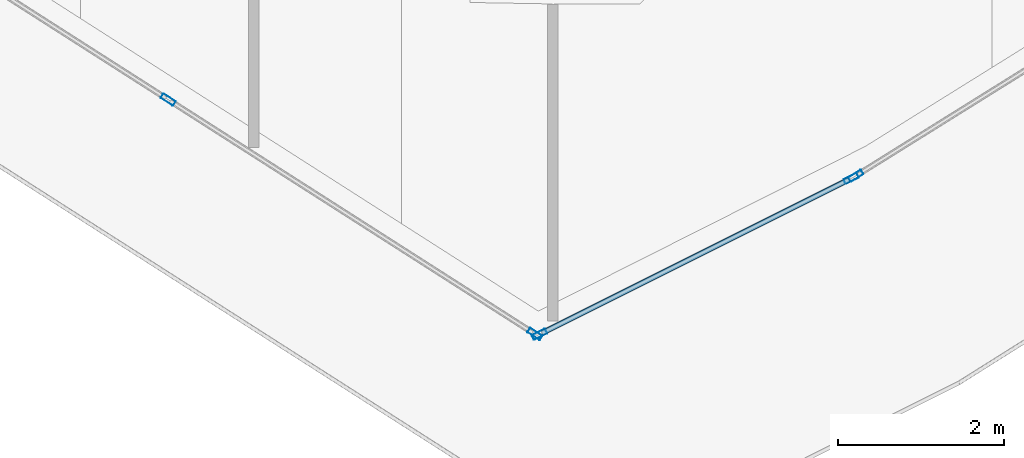
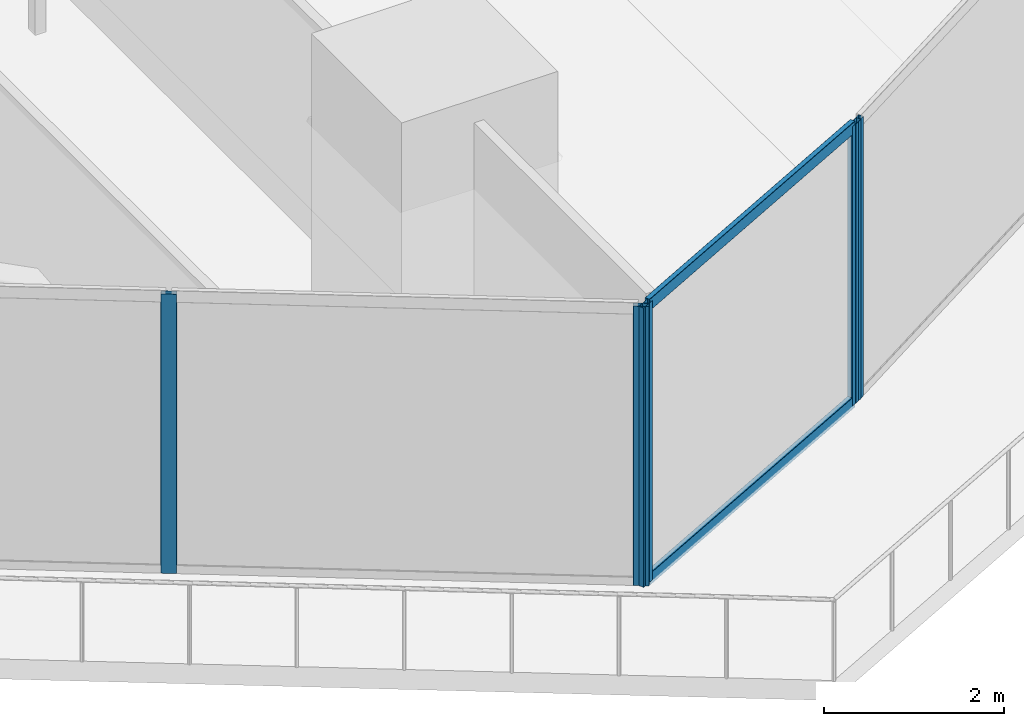
# One storey, part 10 of 43: 7 members, 3 elements without a shape of their own.
"""IFC4 building model written with IfcOpenShell, lengths in metres."""

from ifc_helpers import new_model, si_unit, direction, frame, origin, origin_2d, place, context, subcontext, project, spatial, hollow_rectangle, extrude, material, layer, layer_set, material_profile, profile_set, type_object, element, aggregate, save


model = new_model("IFC4")

# Units and contexts
model_context = context("Model", 3, precision=1e-05, world=origin(), true_north=direction((0.0, 1.0)))
body_context = subcontext(model_context, "Body", "Model", "MODEL_VIEW")
ifc_project = project(units=[si_unit("LENGTHUNIT", "METRE"), si_unit("AREAUNIT", "SQUARE_METRE"), si_unit("VOLUMEUNIT", "CUBIC_METRE"), si_unit("PLANEANGLEUNIT", "RADIAN"), si_unit("MASSUNIT", "GRAM", prefix="KILO")], contexts=[model_context])

# Site, building, storey
site_placement = place(None, origin())
site = spatial("IfcSite", under=ifc_project, at=site_placement, CompositionType="ELEMENT")
building_placement = place(site_placement, origin())
building = spatial("IfcBuilding", under=site, at=building_placement, Name="Qorvath Tower", CompositionType="ELEMENT")
storey_placement = place(building_placement, frame((0.0, 0.0, 213.14990234375)))
storey = spatial("IfcBuildingStorey", under=building, at=storey_placement, Name="L49", CompositionType="ELEMENT", Elevation=213.14990234375)

# Curtain wall, members
ifc_material_1 = material(Name="Anodised aluminium and triple low-E glass", Category="aluminium")
ifc_layer = layer(ifc_material_1, 0.179931640625)
ifc_layer_set = layer_set([ifc_layer], Name="CW-SYS-3")
curtain_wall_type = type_object("IfcCurtainWallType", Name="CW-SYS-3", PredefinedType="NOTDEFINED", material=ifc_layer_set)
curtain_wall_1_placement = place(storey_placement, origin())
curtain_wall_1 = element("IfcCurtainWall", 1, at=curtain_wall_1_placement, inside=storey, type_object=curtain_wall_type, Name="Curtain Wall CW-3 CW-T-L49-2.2", PredefinedType="NOTDEFINED")
ifc_material_2 = material(Name="Anodised aluminium 6063-T6", Category="aluminium")
ifc_material_profile_1 = material_profile(ifc_material_2, hollow_rectangle(XDim=0.06494140625, YDim=0.179931640625, WallThickness=0.00341796875, InnerFilletRadius=0.00341796875, OuterFilletRadius=0.007080078125, at=origin_2d()), Name="CWM 180x65")
ifc_profile_set_1 = profile_set([ifc_material_profile_1], Name="Anodised aluminium 6063-T6")
member_type_1 = type_object("IfcMemberType", Name="CWM-180", PredefinedType="MULLION", material=ifc_profile_set_1)
member_1_placement = place(storey_placement, frame((-21.551513671875, -23.839111328125, 0.0), z_axis=(0.0, 0.0, 1.0), x_axis=(0.538532547612, 0.842604708723, 0.0)))
member_1 = element("IfcMember", 2, at=member_1_placement, type_object=member_type_1, Name="CW-3 mullion 7", PredefinedType="MULLION", context=body_context, shape_type="SweptSolid", body=[
    extrude(hollow_rectangle(XDim=0.06494140625, YDim=0.179931640625, WallThickness=0.00341796875, InnerFilletRadius=0.00341796875, OuterFilletRadius=0.007080078125, at=origin_2d()), origin(), (0.0, 0.0, 1.0), 3.780029296875),
])
member_2_placement = place(storey_placement, frame((-17.134033203125, -26.662353515625, 0.0), z_axis=(0.0, 0.0, 1.0), x_axis=(0.538532547612, 0.842604708723, 0.0)))
member_2 = element("IfcMember", 3, at=member_2_placement, type_object=member_type_1, Name="CW-3 mullion 8", PredefinedType="MULLION", context=body_context, shape_type="SweptSolid", body=[
    extrude(hollow_rectangle(XDim=0.06494140625, YDim=0.179931640625, WallThickness=0.00341796875, InnerFilletRadius=0.00341796875, OuterFilletRadius=0.007080078125, at=origin_2d()), origin(), (0.0, 0.0, 1.0), 3.780029296875),
])
aggregate(curtain_wall_1, [member_1, member_2])

curtain_wall_2_placement = place(storey_placement, origin())
curtain_wall_2 = element("IfcCurtainWall", 4, at=curtain_wall_2_placement, inside=storey, type_object=curtain_wall_type, Name="Curtain Wall CW-3 CW-T-L49-3.1", PredefinedType="NOTDEFINED")
member_3_placement = place(storey_placement, frame((-17.07763671875, -26.665283203125, 0.0), z_axis=(0.0, 0.0, 1.0), x_axis=(-0.447166660566, 0.894450656928, 0.0)))
member_3 = element("IfcMember", 5, at=member_3_placement, type_object=member_type_1, Name="CW-3 mullion 1", PredefinedType="MULLION", context=body_context, shape_type="SweptSolid", body=[
    extrude(hollow_rectangle(XDim=0.06494140625, YDim=0.179931640625, WallThickness=0.00341796875, InnerFilletRadius=0.00341796875, OuterFilletRadius=0.007080078125, at=origin_2d()), origin(), (0.0, 0.0, 1.0), 3.780029296875),
])
member_4_placement = place(storey_placement, frame((-13.32421875, -24.788818359375, 0.0), z_axis=(0.0, 0.0, 1.0), x_axis=(-0.447166660566, 0.894450656928, 0.0)))
member_4 = element("IfcMember", 6, at=member_4_placement, type_object=member_type_1, Name="CW-3 mullion 2", PredefinedType="MULLION", context=body_context, shape_type="SweptSolid", body=[
    extrude(hollow_rectangle(XDim=0.06494140625, YDim=0.179931640625, WallThickness=0.00341796875, InnerFilletRadius=0.00341796875, OuterFilletRadius=0.007080078125, at=origin_2d()), origin(), (0.0, 0.0, 1.0), 3.780029296875),
])

# Curtain wall, member
curtain_wall_3_placement = place(storey_placement, origin())
curtain_wall_3 = element("IfcCurtainWall", 7, at=curtain_wall_3_placement, inside=storey, type_object=curtain_wall_type, Name="Curtain Wall CW-3 CW-T-L49-4.1", PredefinedType="NOTDEFINED")
member_5_placement = place(storey_placement, frame((-13.267578125, -24.75732421875, 0.0), z_axis=(0.0, 0.0, 1.0), x_axis=(-0.529074089173, 0.848575634912, 0.0)))
member_5 = element("IfcMember", 8, at=member_5_placement, type_object=member_type_1, Name="CW-3 mullion 1", PredefinedType="MULLION", context=body_context, shape_type="SweptSolid", body=[
    extrude(hollow_rectangle(XDim=0.06494140625, YDim=0.179931640625, WallThickness=0.00341796875, InnerFilletRadius=0.00341796875, OuterFilletRadius=0.007080078125, at=origin_2d()), origin(), (0.0, 0.0, 1.0), 3.780029296875),
])
aggregate(curtain_wall_3, [member_5])

# Member
ifc_material_3 = material(Name="Anodised aluminium 6063-T6", Category="aluminium")
ifc_material_profile_2 = material_profile(ifc_material_3, hollow_rectangle(XDim=0.06494140625, YDim=0.159912109375, WallThickness=0.00341796875, InnerFilletRadius=0.00341796875, OuterFilletRadius=0.007080078125, at=origin_2d()), Name="CWT 160x65")
ifc_profile_set_2 = profile_set([ifc_material_profile_2], Name="Anodised aluminium 6063-T6")
member_type_2 = type_object("IfcMemberType", Name="CWT-160", PredefinedType="USERDEFINED", material=ifc_profile_set_2)
member_6_placement = place(storey_placement, frame((-17.048583984375, -26.65087890625, 0.032470703125), z_axis=(0.894450827457, 0.447166319462, 0.0), x_axis=(-0.447166319462, 0.894450827457, 0.0)))
member_6 = element("IfcMember", 9, at=member_6_placement, type_object=member_type_2, Name="CW-3 transom 1.1", ObjectType="TRANSOM", PredefinedType="USERDEFINED", context=body_context, shape_type="SweptSolid", body=[
    extrude(hollow_rectangle(XDim=0.06494140625, YDim=0.159912109375, WallThickness=0.00341796875, InnerFilletRadius=0.00341796875, OuterFilletRadius=0.007080078125, at=origin_2d()), origin(), (0.0, 0.0, 1.0), 4.13134765625),
])

member_7_placement = place(storey_placement, frame((-17.048583984375, -26.65087890625, 3.74755859375), z_axis=(0.894450827457, 0.447166319462, 0.0), x_axis=(-0.447166319462, 0.894450827457, 0.0)))
member_7 = element("IfcMember", 10, at=member_7_placement, type_object=member_type_2, Name="CW-3 transom 1.2", ObjectType="TRANSOM", PredefinedType="USERDEFINED", context=body_context, shape_type="SweptSolid", body=[
    extrude(hollow_rectangle(XDim=0.06494140625, YDim=0.159912109375, WallThickness=0.00341796875, InnerFilletRadius=0.00341796875, OuterFilletRadius=0.007080078125, at=origin_2d()), origin(), (0.0, 0.0, 1.0), 4.13134765625),
])

aggregate(curtain_wall_2, [member_3, member_4, member_6, member_7])

save(model, "model.ifc")
